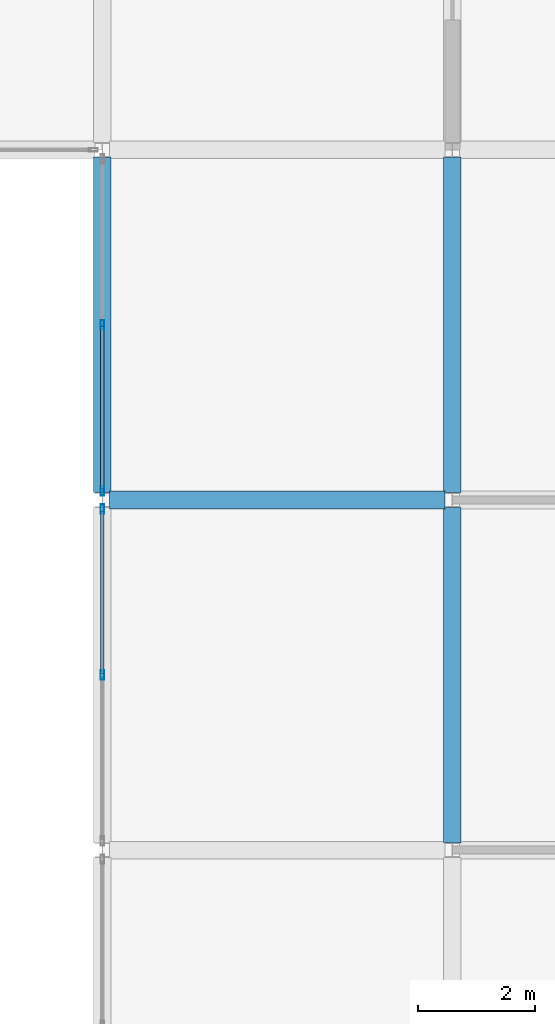
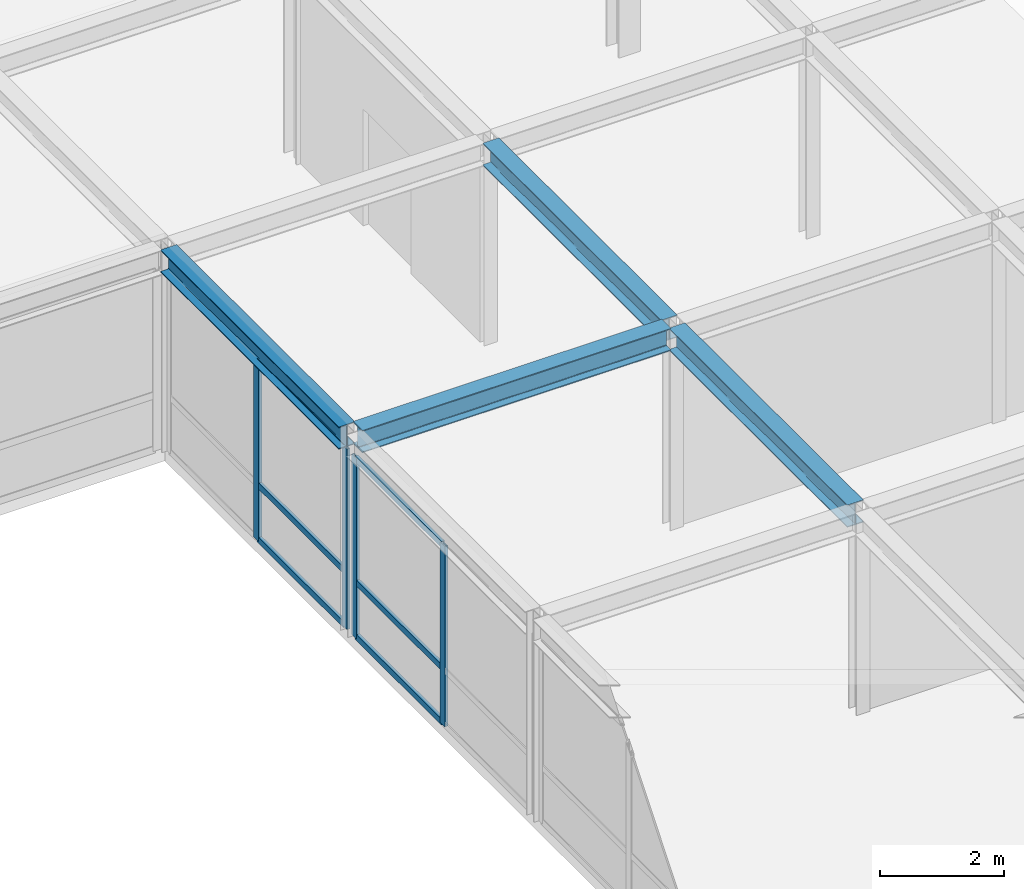
# One storey, part 53 of 111: 10 members, 4 beams, 2 elements without a shape of their own.
"""IFC4 building model written with IfcOpenShell, lengths in metres."""

from ifc_helpers import new_model, si_unit, direction, frame, origin, origin_2d, place, context, subcontext, project, spatial, hollow_rectangle, i_section, extrude, material, layer, layer_set, material_profile, profile_set, type_object, element, aggregate, save


model = new_model("IFC4")

# Units and contexts
model_context = context("Model", 3, precision=1e-05, world=origin(), true_north=direction((0.0, 1.0)))
body_context = subcontext(model_context, "Body", "Model", "MODEL_VIEW")
ifc_project = project(units=[si_unit("LENGTHUNIT", "METRE"), si_unit("AREAUNIT", "SQUARE_METRE"), si_unit("VOLUMEUNIT", "CUBIC_METRE"), si_unit("PLANEANGLEUNIT", "RADIAN"), si_unit("MASSUNIT", "GRAM", prefix="KILO")], contexts=[model_context])

# Site, building, storey
site_placement = place(None, origin())
site = spatial("IfcSite", under=ifc_project, at=site_placement, CompositionType="ELEMENT")
building_placement = place(site_placement, origin())
building = spatial("IfcBuilding", under=site, at=building_placement, Name="Zlatovratsky Civic Hall", CompositionType="ELEMENT")
storey_placement = place(building_placement, frame((0.0, 0.0, 16.5)))
storey = spatial("IfcBuildingStorey", under=building, at=storey_placement, Name="L04", CompositionType="ELEMENT", Elevation=16.5)

# Beams
ifc_material_1 = material(Name="Steel S355", Category="steel")
ifc_material_profile_1 = material_profile(ifc_material_1, i_section(OverallWidth=0.300048828125, OverallDepth=0.43994140625, WebThickness=0.010986328125, FlangeThickness=0.01806640625, FilletRadius=0.02197265625, at=origin_2d()), Name="45Sh1")
ifc_profile_set_1 = profile_set([ifc_material_profile_1], Name="Steel S355")
beam_type = type_object("IfcBeamType", Name="Beam_TowerLow_45Sh1", PredefinedType="BEAM", material=ifc_profile_set_1)
for number, where, z_axis, x_axis, name in (
    (1, (48.125, 60.0, 3.780029296875), (1.0, 0.0, 0.0), (0.0, 1.0, 0.0), "BM-3322"),
    (2, (48.0, 60.125, 3.780029296875), (0.0, 1.0, 0.0), (-1.0, 0.0, 0.0), "BM-3593"),
    (3, (54.0, 54.125, 3.780029296875), (0.0, 1.0, 0.0), (-1.0, 0.0, 0.0), "BM-3609"),
    (4, (54.0, 60.125, 3.780029296875), (0.0, 1.0, 0.0), (-1.0, 0.0, 0.0), "BM-3610"),
):
    element("IfcBeam", number, at=place(storey_placement, frame(where, z_axis=z_axis, x_axis=x_axis)), inside=storey, type_object=beam_type, Name=name, PredefinedType="BEAM", context=body_context, shape_type="SweptSolid", body=[
        extrude(i_section(OverallWidth=0.300048828125, OverallDepth=0.43994140625, WebThickness=0.010986328125, FlangeThickness=0.01806640625, FilletRadius=0.02197265625, at=origin_2d()), origin(), (0.0, 0.0, 1.0), 5.75),
    ])

# Curtain wall, members
ifc_material_2 = material(Name="Anodised bronze aluminium", Category="aluminium")
ifc_layer = layer(ifc_material_2, 0.159912109375)
ifc_layer_set = layer_set([ifc_layer], Name="Anodised bronze aluminium")
curtain_wall_type = type_object("IfcCurtainWallType", Name="CurtainWall_Bronze_5750x3550_18", PredefinedType="NOTDEFINED", material=ifc_layer_set)
curtain_wall_1_placement = place(storey_placement, origin())
curtain_wall_1 = element("IfcCurtainWall", 5, at=curtain_wall_1_placement, inside=storey, type_object=curtain_wall_type, Name="CW-109", PredefinedType="NOTDEFINED")
ifc_material_profile_2 = material_profile(ifc_material_2, hollow_rectangle(XDim=0.06005859375, YDim=0.159912109375, WallThickness=0.00390625, at=origin_2d()), Name="ALU 60x160x4")
ifc_profile_set_2 = profile_set([ifc_material_profile_2], Name="Anodised bronze aluminium")
member_type_1 = type_object("IfcMemberType", Name="CW_Mullion_60x160", PredefinedType="MULLION", material=ifc_profile_set_2)
member_1_placement = place(storey_placement, frame((48.0, 57.0, 0.0), z_axis=(0.0, 0.0, 1.0), x_axis=(-1.0, 0.0, 0.0)))
member_1 = element("IfcMember", 6, at=member_1_placement, type_object=member_type_1, Name="CW-18 mullion 2", PredefinedType="MULLION", context=body_context, shape_type="SweptSolid", body=[
    extrude(hollow_rectangle(XDim=0.06005859375, YDim=0.159912109375, WallThickness=0.00390625, at=origin_2d()), origin(), (0.0, 0.0, 1.0), 3.550048828125),
])
member_2_placement = place(storey_placement, frame((48.0, 59.844970703125, 0.0), z_axis=(0.0, 0.0, 1.0), x_axis=(-1.0, 0.0, 0.0)))
member_2 = element("IfcMember", 7, at=member_2_placement, type_object=member_type_1, Name="CW-18 mullion 3", PredefinedType="MULLION", context=body_context, shape_type="SweptSolid", body=[
    extrude(hollow_rectangle(XDim=0.06005859375, YDim=0.159912109375, WallThickness=0.00390625, at=origin_2d()), origin(), (0.0, 0.0, 1.0), 3.550048828125),
])

curtain_wall_2_placement = place(storey_placement, origin())
curtain_wall_2 = element("IfcCurtainWall", 8, at=curtain_wall_2_placement, inside=storey, type_object=curtain_wall_type, Name="CW-110", PredefinedType="NOTDEFINED")
member_3_placement = place(storey_placement, frame((48.0, 60.155029296875, 0.0), z_axis=(0.0, 0.0, 1.0), x_axis=(-1.0, 0.0, 0.0)))
member_3 = element("IfcMember", 9, at=member_3_placement, type_object=member_type_1, Name="CW-18 mullion 1", PredefinedType="MULLION", context=body_context, shape_type="SweptSolid", body=[
    extrude(hollow_rectangle(XDim=0.06005859375, YDim=0.159912109375, WallThickness=0.00390625, at=origin_2d()), origin(), (0.0, 0.0, 1.0), 3.550048828125),
])
member_4_placement = place(storey_placement, frame((48.0, 63.0, 0.0), z_axis=(0.0, 0.0, 1.0), x_axis=(-1.0, 0.0, 0.0)))
member_4 = element("IfcMember", 10, at=member_4_placement, type_object=member_type_1, Name="CW-18 mullion 2", PredefinedType="MULLION", context=body_context, shape_type="SweptSolid", body=[
    extrude(hollow_rectangle(XDim=0.06005859375, YDim=0.159912109375, WallThickness=0.00390625, at=origin_2d()), origin(), (0.0, 0.0, 1.0), 3.550048828125),
])

# Member
ifc_material_profile_3 = material_profile(ifc_material_2, hollow_rectangle(XDim=0.06005859375, YDim=0.1201171875, WallThickness=0.00390625, at=origin_2d()), Name="ALU 60x120x4")
ifc_profile_set_3 = profile_set([ifc_material_profile_3], Name="Anodised bronze aluminium")
member_type_2 = type_object("IfcMemberType", Name="CW_Transom_60x120", PredefinedType="USERDEFINED", material=ifc_profile_set_3)
member_5_placement = place(storey_placement, frame((48.0, 57.030029296875, 0.030029296875), z_axis=(0.0, 1.0, 0.0), x_axis=(-1.0, 0.0, 0.0)))
member_5 = element("IfcMember", 11, at=member_5_placement, type_object=member_type_2, Name="CW-18 transom 2.1", ObjectType="TRANSOM", PredefinedType="USERDEFINED", context=body_context, shape_type="SweptSolid", body=[
    extrude(hollow_rectangle(XDim=0.06005859375, YDim=0.1201171875, WallThickness=0.00390625, at=origin_2d()), origin(), (0.0, 0.0, 1.0), 2.784912109375),
])

member_6_placement = place(storey_placement, frame((48.0, 57.030029296875, 1.10009765625), z_axis=(0.0, 1.0, 0.0), x_axis=(-1.0, 0.0, 0.0)))
member_6 = element("IfcMember", 12, at=member_6_placement, type_object=member_type_2, Name="CW-18 transom 2.2", ObjectType="TRANSOM", PredefinedType="USERDEFINED", context=body_context, shape_type="SweptSolid", body=[
    extrude(hollow_rectangle(XDim=0.06005859375, YDim=0.1201171875, WallThickness=0.00390625, at=origin_2d()), origin(), (0.0, 0.0, 1.0), 2.784912109375),
])

member_7_placement = place(storey_placement, frame((48.0, 57.030029296875, 3.52001953125), z_axis=(0.0, 1.0, 0.0), x_axis=(-1.0, 0.0, 0.0)))
member_7 = element("IfcMember", 13, at=member_7_placement, type_object=member_type_2, Name="CW-18 transom 2.3", ObjectType="TRANSOM", PredefinedType="USERDEFINED", context=body_context, shape_type="SweptSolid", body=[
    extrude(hollow_rectangle(XDim=0.06005859375, YDim=0.1201171875, WallThickness=0.00390625, at=origin_2d()), origin(), (0.0, 0.0, 1.0), 2.784912109375),
])

aggregate(curtain_wall_1, [member_1, member_2, member_5, member_6, member_7])

member_8_placement = place(storey_placement, frame((48.0, 60.18505859375, 0.030029296875), z_axis=(0.0, 1.0, 0.0), x_axis=(-1.0, 0.0, 0.0)))
member_8 = element("IfcMember", 14, at=member_8_placement, type_object=member_type_2, Name="CW-18 transom 1.1", ObjectType="TRANSOM", PredefinedType="USERDEFINED", context=body_context, shape_type="SweptSolid", body=[
    extrude(hollow_rectangle(XDim=0.06005859375, YDim=0.1201171875, WallThickness=0.00390625, at=origin_2d()), origin(), (0.0, 0.0, 1.0), 2.784912109375),
])

member_9_placement = place(storey_placement, frame((48.0, 60.18505859375, 1.10009765625), z_axis=(0.0, 1.0, 0.0), x_axis=(-1.0, 0.0, 0.0)))
member_9 = element("IfcMember", 15, at=member_9_placement, type_object=member_type_2, Name="CW-18 transom 1.2", ObjectType="TRANSOM", PredefinedType="USERDEFINED", context=body_context, shape_type="SweptSolid", body=[
    extrude(hollow_rectangle(XDim=0.06005859375, YDim=0.1201171875, WallThickness=0.00390625, at=origin_2d()), origin(), (0.0, 0.0, 1.0), 2.784912109375),
])

member_10_placement = place(storey_placement, frame((48.0, 60.18505859375, 3.52001953125), z_axis=(0.0, 1.0, 0.0), x_axis=(-1.0, 0.0, 0.0)))
member_10 = element("IfcMember", 16, at=member_10_placement, type_object=member_type_2, Name="CW-18 transom 1.3", ObjectType="TRANSOM", PredefinedType="USERDEFINED", context=body_context, shape_type="SweptSolid", body=[
    extrude(hollow_rectangle(XDim=0.06005859375, YDim=0.1201171875, WallThickness=0.00390625, at=origin_2d()), origin(), (0.0, 0.0, 1.0), 2.784912109375),
])

aggregate(curtain_wall_2, [member_3, member_4, member_8, member_9, member_10])

save(model, "model.ifc")
